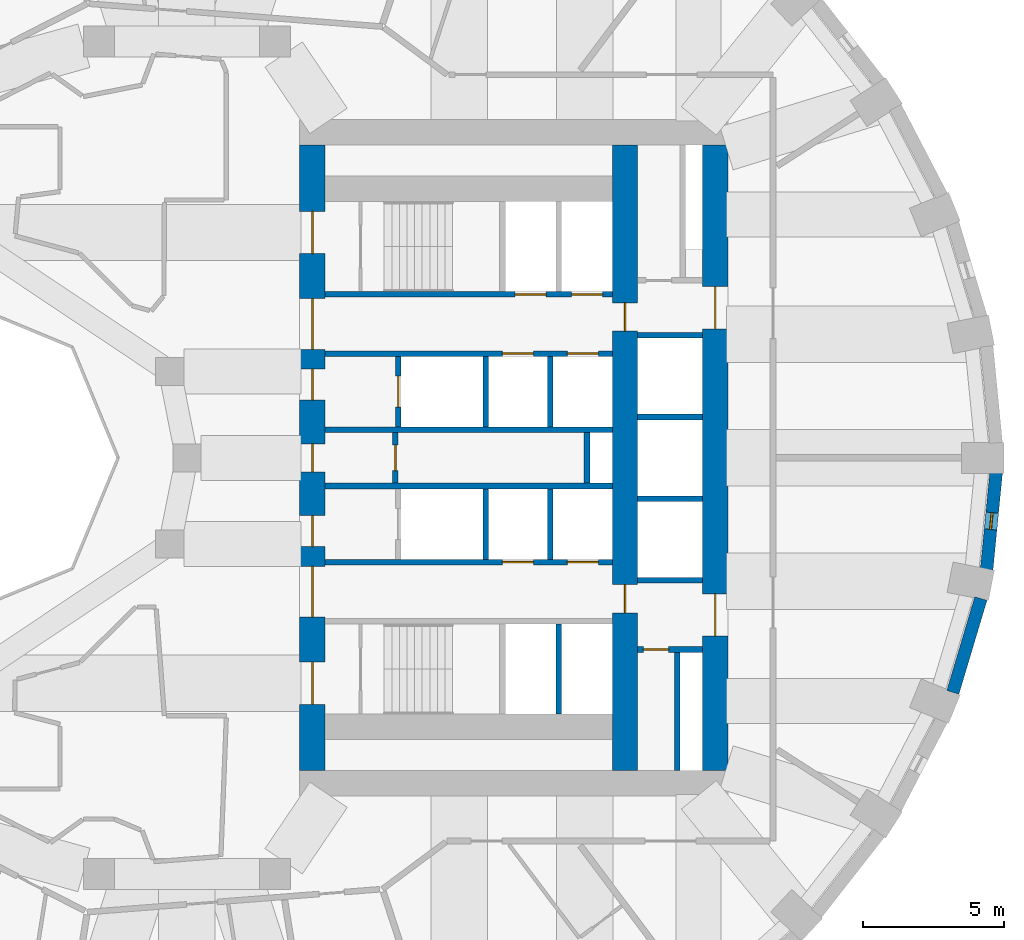
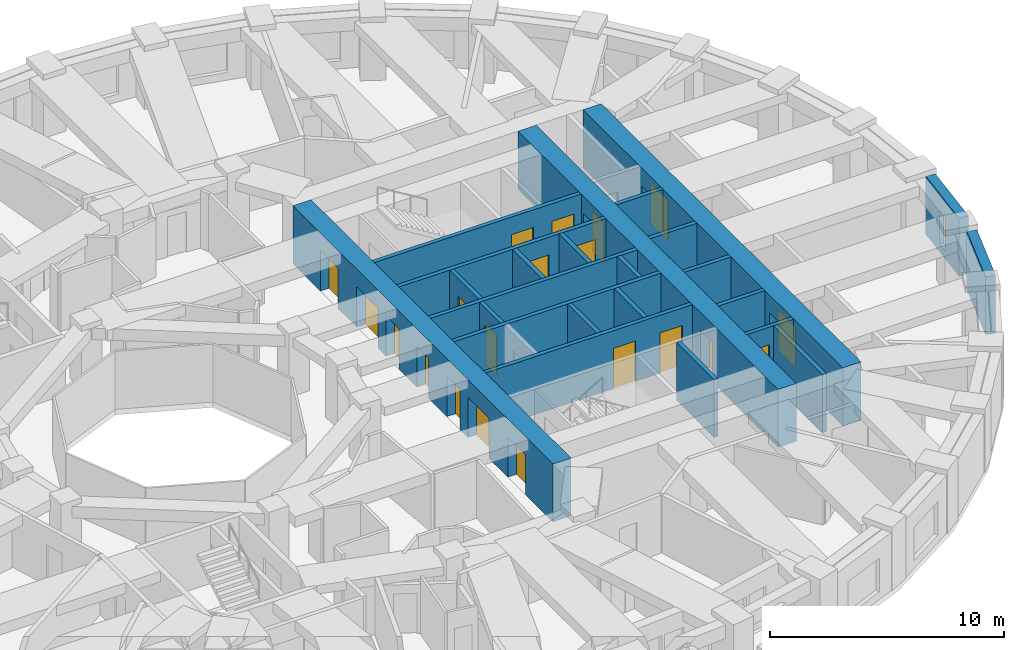
# One storey, part 6 of 13: 24 walls, 20 doors, 1 window, 21 openings.
"""IFC4 building model written with IfcOpenShell, lengths in metres."""

from ifc_helpers import new_model, si_unit, direction, frame, frame_2d, origin, place, context, subcontext, project, spatial, rectangle, extrude, material, layer, layer_set, type_object, element, fill, save


model = new_model("IFC4")

# Units and contexts
model_context = context("Model", 3, precision=1e-05, world=origin(), true_north=direction((0.0, 1.0)))
body_context = subcontext(model_context, "Body", "Model", "MODEL_VIEW")
ifc_project = project(units=[si_unit("LENGTHUNIT", "METRE"), si_unit("AREAUNIT", "SQUARE_METRE"), si_unit("VOLUMEUNIT", "CUBIC_METRE"), si_unit("PLANEANGLEUNIT", "RADIAN"), si_unit("MASSUNIT", "GRAM", prefix="KILO")], contexts=[model_context])

# Site, building, storey
site_placement = place(None, origin())
site = spatial("IfcSite", under=ifc_project, at=site_placement, CompositionType="ELEMENT")
building_placement = place(site_placement, origin())
building = spatial("IfcBuilding", under=site, at=building_placement, Name="Taillehof Tower", CompositionType="ELEMENT")
storey_placement = place(building_placement, frame((0.0, 0.0, 38.199951171875)))
storey = spatial("IfcBuildingStorey", under=building, at=storey_placement, Name="L09", CompositionType="ELEMENT", Elevation=38.199951171875)

# Wall
ifc_material_1 = material(Name="Brick masonry", Category="masonry")
ifc_layer_1 = layer(ifc_material_1, 0.449951171875)
ifc_layer_set_1 = layer_set([ifc_layer_1], Name="Brick infill wall 450")
wall_type_1 = type_object("IfcWallType", Name="Brick infill wall 450", PredefinedType="SOLIDWALL", material=ifc_layer_set_1)
wall_1_placement = place(storey_placement, frame((27.184814453125, -8.322998046875, 0.0), z_axis=(0.0, 0.0, 1.0), x_axis=(0.287064133733, 0.957911364963, 0.0)))
element("IfcWall", 1, at=wall_1_placement, inside=storey, type_object=wall_type_1, Name="Brick wall L09 bay 35", PredefinedType="SOLIDWALL", context=body_context, shape_type="SweptSolid", body=[
    extrude(rectangle(XDim=3.473388671875, YDim=0.449951171875, at=frame_2d((1.73681640625, 0.0))), origin(), (0.0, 0.0, 1.0), 3.02001953125),
])

# Wall, opening, window
wall_2_placement = place(storey_placement, frame((28.38671875, -3.95556640625, 0.0), z_axis=(0.0, 0.0, 1.0), x_axis=(0.097389581596, 0.995246336038, 0.0)))
wall_2 = element("IfcWall", 2, at=wall_2_placement, inside=storey, type_object=wall_type_1, Name="Brick wall L09 bay 36", PredefinedType="SOLIDWALL", context=body_context, shape_type="SweptSolid", body=[
    extrude(rectangle(XDim=3.44189453125, YDim=0.449951171875, at=frame_2d((1.720947265625, 0.0))), origin(), (0.0, 0.0, 1.0), 3.02001953125),
])
opening_1_placement = place(wall_2_placement, frame((1.4208984375, 0.0, 0.39990234375)))
opening_1 = element("IfcOpeningElement", 3, at=opening_1_placement, cuts=wall_2, Name="Opening W6", PredefinedType="OPENING", context=body_context, shape_type="SweptSolid", body=[
    extrude(rectangle(XDim=0.60009765625, YDim=1.75, at=frame_2d((0.300048828125, 0.875))), frame((0.0, 0.23486328125, 0.0), z_axis=(0.0, -1.0, 0.0), x_axis=(1.0, 0.0, 0.0)), (0.0, 0.0, 1.0), 0.469970703125),
])
ifc_material_2 = material(Name="Aluminium window frame with clear double glazing", Category="aluminium")
window_type = type_object("IfcWindowType", Name="Slot window 600x1750", PartitioningType="SINGLE_PANEL", PredefinedType="WINDOW", material=ifc_material_2)
window_placement = place(opening_1_placement, origin())
window = element("IfcWindow", 4, at=window_placement, inside=storey, type_object=window_type, Name="W6", OverallHeight=1.75, OverallWidth=0.60009765625, PartitioningType="SINGLE_PANEL", PredefinedType="WINDOW", context=body_context, shape_type="SweptSolid", body=[
    extrude(rectangle(XDim=0.60009765625, YDim=1.75, at=frame_2d((0.300048828125, 0.875))), frame((0.0, 0.034912109375, 0.0), z_axis=(0.0, -1.0, 0.0), x_axis=(1.0, 0.0, 0.0)), (0.0, 0.0, 1.0), 0.06005859375),
])
fill(opening_1, window)

# Wall, opening, door
ifc_material_3 = material(Name="Calcium silicate masonry", Category="masonry")
ifc_layer_2 = layer(ifc_material_3, 0.199951171875)
ifc_layer_set_2 = layer_set([ifc_layer_2], Name="Compartment wall calcium silicate 200")
wall_type_2 = type_object("IfcWallType", Name="Compartment wall calcium silicate 200", PredefinedType="PARTITIONING", material=ifc_layer_set_2)
wall_3_placement = place(storey_placement, frame((7.39990234375, -0.89990234375, 0.0), z_axis=(0.0, 0.0, 1.0), x_axis=(0.0, 1.0, 0.0)))
wall_3 = element("IfcWall", 5, at=wall_3_placement, inside=storey, type_object=wall_type_2, Name="Compartment wall FW", PredefinedType="PARTITIONING", context=body_context, shape_type="SweptSolid", body=[
    extrude(rectangle(XDim=1.7998046875, YDim=0.199951171875, at=frame_2d((0.89990234375, 0.0))), origin(), (0.0, 0.0, 1.0), 3.02001953125),
])
opening_2_placement = place(wall_3_placement, frame((0.449951171875, 0.0, 0.0)))
opening_2 = element("IfcOpeningElement", 6, at=opening_2_placement, cuts=wall_3, Name="Opening D0914", PredefinedType="OPENING", context=body_context, shape_type="SweptSolid", body=[
    extrude(rectangle(XDim=0.89990234375, YDim=2.10009765625, at=frame_2d((0.449951171875, 1.050048828125))), frame((0.0, 0.10986328125, 0.0), z_axis=(0.0, -1.0, 0.0), x_axis=(1.0, 0.0, 0.0)), (0.0, 0.0, 1.0), 0.219970703125),
])
ifc_material_4 = material(Name="Steel-faced fire door", Category="steel")
door_type_1 = type_object("IfcDoorType", Name="Riser and service room door 900x2100", OperationType="SINGLE_SWING_LEFT", PredefinedType="DOOR", material=ifc_material_4)
door_1_placement = place(opening_2_placement, origin())
door_1 = element("IfcDoor", 7, at=door_1_placement, inside=storey, type_object=door_type_1, Name="Door Staff Pantry", OperationType="SINGLE_SWING_RIGHT", OverallHeight=2.10009765625, OverallWidth=0.89990234375, PredefinedType="DOOR", context=body_context, shape_type="SweptSolid", body=[
    extrude(rectangle(XDim=0.89990234375, YDim=2.10009765625, at=frame_2d((0.449951171875, 1.050048828125))), frame((0.0, 0.02490234375, 0.0), z_axis=(0.0, -1.0, 0.0), x_axis=(1.0, 0.0, 0.0)), (0.0, 0.0, 1.0), 0.050048828125),
])
fill(opening_2, door_1)

# Wall
wall_4_placement = place(storey_placement, frame((14.199951171875, -0.89990234375, 0.0), z_axis=(0.0, 0.0, 1.0), x_axis=(0.0, 1.0, 0.0)))
element("IfcWall", 8, at=wall_4_placement, inside=storey, type_object=wall_type_2, Name="Compartment wall FW", PredefinedType="PARTITIONING", context=body_context, shape_type="SweptSolid", body=[
    extrude(rectangle(XDim=1.7998046875, YDim=0.199951171875, at=frame_2d((0.89990234375, 0.0))), origin(), (0.0, 0.0, 1.0), 3.02001953125),
])

# Wall, opening, door
wall_5_placement = place(storey_placement, frame((16.0, -6.800048828125, 0.0), z_axis=(0.0, 0.0, 1.0), x_axis=(1.0, 0.0, 0.0)))
wall_5 = element("IfcWall", 9, at=wall_5_placement, inside=storey, type_object=wall_type_2, Name="Compartment wall FW", PredefinedType="PARTITIONING", context=body_context, shape_type="SweptSolid", body=[
    extrude(rectangle(XDim=2.300048828125, YDim=0.199951171875, at=frame_2d((1.14990234375, 0.0))), origin(), (0.0, 0.0, 1.0), 3.02001953125),
])
opening_3_placement = place(wall_5_placement, frame((0.199951171875, 0.0, 0.0)))
opening_3 = element("IfcOpeningElement", 10, at=opening_3_placement, cuts=wall_5, Name="Opening D0918", PredefinedType="OPENING", context=body_context, shape_type="SweptSolid", body=[
    extrude(rectangle(XDim=0.89990234375, YDim=2.10009765625, at=frame_2d((0.449951171875, 1.050048828125))), frame((0.0, 0.10986328125, 0.0), z_axis=(0.0, -1.0, 0.0), x_axis=(1.0, 0.0, 0.0)), (0.0, 0.0, 1.0), 0.219970703125),
])
door_2_placement = place(opening_3_placement, origin())
door_2 = element("IfcDoor", 11, at=door_2_placement, inside=storey, type_object=door_type_1, Name="Door Housekeeping Store", OperationType="SINGLE_SWING_LEFT", OverallHeight=2.10009765625, OverallWidth=0.89990234375, PredefinedType="DOOR", context=body_context, shape_type="SweptSolid", body=[
    extrude(rectangle(XDim=0.89990234375, YDim=2.10009765625, at=frame_2d((0.449951171875, 1.050048828125))), frame((0.0, 0.02490234375, 0.0), z_axis=(0.0, -1.0, 0.0), x_axis=(1.0, 0.0, 0.0)), (0.0, 0.0, 1.0), 0.050048828125),
])
fill(opening_3, door_2)

# Wall
wall_6_placement = place(storey_placement, frame((17.39990234375, -11.10009765625, 0.0), z_axis=(0.0, 0.0, 1.0), x_axis=(0.0, 1.0, 0.0)))
element("IfcWall", 12, at=wall_6_placement, inside=storey, type_object=wall_type_2, Name="Compartment wall FW", PredefinedType="PARTITIONING", context=body_context, shape_type="SweptSolid", body=[
    extrude(rectangle(XDim=4.2001953125, YDim=0.199951171875, at=frame_2d((2.10009765625, 0.0))), origin(), (0.0, 0.0, 1.0), 3.02001953125),
])

# Wall, openings, doors
ifc_material_5 = material(Name="Concrete C80/95", Category="concrete")
ifc_layer_3 = layer(ifc_material_5, 0.89990234375)
ifc_layer_set_3 = layer_set([ifc_layer_3], Name="Core wall C80/95 900")
wall_type_3 = type_object("IfcWallType", Name="Core wall C80/95 900", PredefinedType="SHEAR", material=ifc_layer_set_3)
wall_7_placement = place(storey_placement, frame((4.449951171875, -11.10009765625, 0.0), z_axis=(0.0, 0.0, 1.0), x_axis=(0.0, 1.0, 0.0)))
wall_7 = element("IfcWall", 13, at=wall_7_placement, inside=storey, type_object=wall_type_3, Name="Core wall CW01", PredefinedType="SHEAR", context=body_context, shape_type="SweptSolid", body=[
    extrude(rectangle(XDim=22.2001953125, YDim=0.89990234375, at=frame_2d((11.10009765625, 0.0))), origin(), (0.0, 0.0, 1.0), 3.02001953125),
])
opening_4_placement = place(wall_7_placement, frame((2.35009765625, 0.0, 0.0)))
opening_4 = element("IfcOpeningElement", 14, at=opening_4_placement, cuts=wall_7, Name="Opening D0901", PredefinedType="OPENING", context=body_context, shape_type="SweptSolid", body=[
    extrude(rectangle(XDim=1.5, YDim=2.10009765625, at=frame_2d((0.75, 1.050048828125))), frame((0.0, 0.4599609375, 0.0), z_axis=(0.0, -1.0, 0.0), x_axis=(1.0, 0.0, 0.0)), (0.0, 0.0, 1.0), 0.919921875),
])
opening_5_placement = place(wall_7_placement, frame((5.449951171875, 0.0, 0.0)))
opening_5 = element("IfcOpeningElement", 15, at=opening_5_placement, cuts=wall_7, Name="Opening D0902", PredefinedType="OPENING", context=body_context, shape_type="SweptSolid", body=[
    extrude(rectangle(XDim=1.800048828125, YDim=2.10009765625, at=frame_2d((0.89990234375, 1.050048828125))), frame((0.0, 0.4599609375, 0.0), z_axis=(0.0, -1.0, 0.0), x_axis=(1.0, 0.0, 0.0)), (0.0, 0.0, 1.0), 0.919921875),
])
opening_6_placement = place(wall_7_placement, frame((7.949951171875, 0.0, 0.0)))
opening_6 = element("IfcOpeningElement", 16, at=opening_6_placement, cuts=wall_7, Name="Opening D0903", PredefinedType="OPENING", context=body_context, shape_type="SweptSolid", body=[
    extrude(rectangle(XDim=1.10009765625, YDim=2.10009765625, at=frame_2d((0.550048828125, 1.050048828125))), frame((0.0, 0.4599609375, 0.0), z_axis=(0.0, -1.0, 0.0), x_axis=(1.0, 0.0, 0.0)), (0.0, 0.0, 1.0), 0.919921875),
])
opening_7_placement = place(wall_7_placement, frame((10.60009765625, 0.0, 0.0)))
opening_7 = element("IfcOpeningElement", 17, at=opening_7_placement, cuts=wall_7, Name="Opening D0904", PredefinedType="OPENING", context=body_context, shape_type="SweptSolid", body=[
    extrude(rectangle(XDim=1.0, YDim=2.10009765625, at=frame_2d((0.5, 1.050048828125))), frame((0.0, 0.4599609375, 0.0), z_axis=(0.0, -1.0, 0.0), x_axis=(1.0, 0.0, 0.0)), (0.0, 0.0, 1.0), 0.919921875),
])
opening_8_placement = place(wall_7_placement, frame((13.14990234375, 0.0, 0.0)))
opening_8 = element("IfcOpeningElement", 18, at=opening_8_placement, cuts=wall_7, Name="Opening D0905", PredefinedType="OPENING", context=body_context, shape_type="SweptSolid", body=[
    extrude(rectangle(XDim=1.10009765625, YDim=2.10009765625, at=frame_2d((0.550048828125, 1.050048828125))), frame((0.0, 0.4599609375, 0.0), z_axis=(0.0, -1.0, 0.0), x_axis=(1.0, 0.0, 0.0)), (0.0, 0.0, 1.0), 0.919921875),
])
opening_9_placement = place(wall_7_placement, frame((14.949951171875, 0.0, 0.0)))
opening_9 = element("IfcOpeningElement", 19, at=opening_9_placement, cuts=wall_7, Name="Opening D0906", PredefinedType="OPENING", context=body_context, shape_type="SweptSolid", body=[
    extrude(rectangle(XDim=1.800048828125, YDim=2.10009765625, at=frame_2d((0.89990234375, 1.050048828125))), frame((0.0, 0.4599609375, 0.0), z_axis=(0.0, -1.0, 0.0), x_axis=(1.0, 0.0, 0.0)), (0.0, 0.0, 1.0), 0.919921875),
])
opening_10_placement = place(wall_7_placement, frame((18.35009765625, 0.0, 0.0)))
opening_10 = element("IfcOpeningElement", 20, at=opening_10_placement, cuts=wall_7, Name="Opening D0907", PredefinedType="OPENING", context=body_context, shape_type="SweptSolid", body=[
    extrude(rectangle(XDim=1.5, YDim=2.10009765625, at=frame_2d((0.75, 1.050048828125))), frame((0.0, 0.4599609375, 0.0), z_axis=(0.0, -1.0, 0.0), x_axis=(1.0, 0.0, 0.0)), (0.0, 0.0, 1.0), 0.919921875),
])
ifc_material_6 = material(Name="Steel-faced fire door", Category="steel")
door_type_2 = type_object("IfcDoorType", Name="Firefighting lobby door 1100x2100", OperationType="SINGLE_SWING_RIGHT", PredefinedType="DOOR", material=ifc_material_6)
door_3_placement = place(opening_6_placement, origin())
door_3 = element("IfcDoor", 21, at=door_3_placement, inside=storey, type_object=door_type_2, Name="Firefighting lobby door FFL-S", OperationType="SINGLE_SWING_RIGHT", OverallHeight=2.10009765625, OverallWidth=1.10009765625, PredefinedType="DOOR", context=body_context, shape_type="SweptSolid", body=[
    extrude(rectangle(XDim=1.10009765625, YDim=2.10009765625, at=frame_2d((0.550048828125, 1.050048828125))), frame((0.0, 0.02490234375, 0.0), z_axis=(0.0, -1.0, 0.0), x_axis=(1.0, 0.0, 0.0)), (0.0, 0.0, 1.0), 0.050048828125),
])
fill(opening_6, door_3)
door_4_placement = place(opening_8_placement, origin())
door_4 = element("IfcDoor", 22, at=door_4_placement, inside=storey, type_object=door_type_2, Name="Firefighting lobby door FFL-N", OperationType="SINGLE_SWING_LEFT", OverallHeight=2.10009765625, OverallWidth=1.10009765625, PredefinedType="DOOR", context=body_context, shape_type="SweptSolid", body=[
    extrude(rectangle(XDim=1.10009765625, YDim=2.10009765625, at=frame_2d((0.550048828125, 1.050048828125))), frame((0.0, 0.02490234375, 0.0), z_axis=(0.0, -1.0, 0.0), x_axis=(1.0, 0.0, 0.0)), (0.0, 0.0, 1.0), 0.050048828125),
])
fill(opening_8, door_4)
ifc_material_7 = material(Name="Steel-faced fire door", Category="steel")
door_type_3 = type_object("IfcDoorType", Name="Lift lobby door 1800x2100", OperationType="DOUBLE_DOOR_SINGLE_SWING", PredefinedType="DOOR", material=ifc_material_7)
door_5_placement = place(opening_5_placement, origin())
door_5 = element("IfcDoor", 23, at=door_5_placement, inside=storey, type_object=door_type_3, Name="Lift lobby door LL-S", OperationType="DOUBLE_DOOR_SINGLE_SWING", OverallHeight=2.10009765625, OverallWidth=1.800048828125, PredefinedType="DOOR", context=body_context, shape_type="SweptSolid", body=[
    extrude(rectangle(XDim=1.800048828125, YDim=2.10009765625, at=frame_2d((0.89990234375, 1.050048828125))), frame((0.0, 0.02490234375, 0.0), z_axis=(0.0, -1.0, 0.0), x_axis=(1.0, 0.0, 0.0)), (0.0, 0.0, 1.0), 0.050048828125),
])
fill(opening_5, door_5)
door_6_placement = place(opening_9_placement, origin())
door_6 = element("IfcDoor", 24, at=door_6_placement, inside=storey, type_object=door_type_3, Name="Lift lobby door LL-N", OperationType="DOUBLE_DOOR_SINGLE_SWING", OverallHeight=2.10009765625, OverallWidth=1.800048828125, PredefinedType="DOOR", context=body_context, shape_type="SweptSolid", body=[
    extrude(rectangle(XDim=1.800048828125, YDim=2.10009765625, at=frame_2d((0.89990234375, 1.050048828125))), frame((0.0, 0.02490234375, 0.0), z_axis=(0.0, -1.0, 0.0), x_axis=(1.0, 0.0, 0.0)), (0.0, 0.0, 1.0), 0.050048828125),
])
fill(opening_9, door_6)
ifc_material_8 = material(Name="Steel-faced fire door", Category="steel")
door_type_4 = type_object("IfcDoorType", Name="Service door 1000x2100", OperationType="SINGLE_SWING_RIGHT", PredefinedType="DOOR", material=ifc_material_8)
door_7_placement = place(opening_7_placement, origin())
door_7 = element("IfcDoor", 25, at=door_7_placement, inside=storey, type_object=door_type_4, Name="Service door SV", OperationType="SINGLE_SWING_RIGHT", OverallHeight=2.10009765625, OverallWidth=1.0, PredefinedType="DOOR", context=body_context, shape_type="SweptSolid", body=[
    extrude(rectangle(XDim=1.0, YDim=2.10009765625, at=frame_2d((0.5, 1.050048828125))), frame((0.0, 0.02490234375, 0.0), z_axis=(0.0, -1.0, 0.0), x_axis=(1.0, 0.0, 0.0)), (0.0, 0.0, 1.0), 0.050048828125),
])
fill(opening_7, door_7)
ifc_material_9 = material(Name="Steel-faced fire door", Category="steel")
door_type_5 = type_object("IfcDoorType", Name="Stair door 1500x2100", OperationType="DOUBLE_DOOR_SINGLE_SWING", PredefinedType="DOOR", material=ifc_material_9)
door_8_placement = place(opening_4_placement, origin())
door_8 = element("IfcDoor", 26, at=door_8_placement, inside=storey, type_object=door_type_5, Name="Stair door S2", OperationType="DOUBLE_DOOR_SINGLE_SWING", OverallHeight=2.10009765625, OverallWidth=1.5, PredefinedType="DOOR", context=body_context, shape_type="SweptSolid", body=[
    extrude(rectangle(XDim=1.5, YDim=2.10009765625, at=frame_2d((0.75, 1.050048828125))), frame((0.0, 0.02490234375, 0.0), z_axis=(0.0, -1.0, 0.0), x_axis=(1.0, 0.0, 0.0)), (0.0, 0.0, 1.0), 0.050048828125),
])
fill(opening_4, door_8)
door_9_placement = place(opening_10_placement, origin())
door_9 = element("IfcDoor", 27, at=door_9_placement, inside=storey, type_object=door_type_5, Name="Stair door S1", OperationType="DOUBLE_DOOR_SINGLE_SWING", OverallHeight=2.10009765625, OverallWidth=1.5, PredefinedType="DOOR", context=body_context, shape_type="SweptSolid", body=[
    extrude(rectangle(XDim=1.5, YDim=2.10009765625, at=frame_2d((0.75, 1.050048828125))), frame((0.0, 0.02490234375, 0.0), z_axis=(0.0, -1.0, 0.0), x_axis=(1.0, 0.0, 0.0)), (0.0, 0.0, 1.0), 0.050048828125),
])
fill(opening_10, door_9)

wall_8_placement = place(storey_placement, frame((18.75, -11.10009765625, 0.0), z_axis=(0.0, 0.0, 1.0), x_axis=(0.0, 1.0, 0.0)))
wall_8 = element("IfcWall", 28, at=wall_8_placement, inside=storey, type_object=wall_type_3, Name="Core wall CW02", PredefinedType="SHEAR", context=body_context, shape_type="SweptSolid", body=[
    extrude(rectangle(XDim=22.2001953125, YDim=0.89990234375, at=frame_2d((11.10009765625, 0.0))), origin(), (0.0, 0.0, 1.0), 3.02001953125),
])
opening_11_placement = place(wall_8_placement, frame((15.675048828125, 0.0, 0.0)))
opening_11 = element("IfcOpeningElement", 29, at=opening_11_placement, cuts=wall_8, Name="Opening D0908", PredefinedType="OPENING", context=body_context, shape_type="SweptSolid", body=[
    extrude(rectangle(XDim=1.5, YDim=2.10009765625, at=frame_2d((0.75, 1.050048828125))), frame((0.0, 0.4599609375, 0.0), z_axis=(0.0, -1.0, 0.0), x_axis=(1.0, 0.0, 0.0)), (0.0, 0.0, 1.0), 0.919921875),
])
opening_12_placement = place(wall_8_placement, frame((4.77490234375, 0.0, 0.0)))
opening_12 = element("IfcOpeningElement", 30, at=opening_12_placement, cuts=wall_8, Name="Opening D0909", PredefinedType="OPENING", context=body_context, shape_type="SweptSolid", body=[
    extrude(rectangle(XDim=1.5, YDim=2.10009765625, at=frame_2d((0.75, 1.050048828125))), frame((0.0, 0.4599609375, 0.0), z_axis=(0.0, -1.0, 0.0), x_axis=(1.0, 0.0, 0.0)), (0.0, 0.0, 1.0), 0.919921875),
])
ifc_material_10 = material(Name="Steel-faced fire door", Category="steel")
door_type_6 = type_object("IfcDoorType", Name="Lift lobby east door 1500x2100", OperationType="DOUBLE_DOOR_SINGLE_SWING", PredefinedType="DOOR", material=ifc_material_10)
door_10_placement = place(opening_11_placement, origin())
door_10 = element("IfcDoor", 31, at=door_10_placement, inside=storey, type_object=door_type_6, Name="Lift lobby east door north", OperationType="DOUBLE_DOOR_SINGLE_SWING", OverallHeight=2.10009765625, OverallWidth=1.5, PredefinedType="DOOR", context=body_context, shape_type="SweptSolid", body=[
    extrude(rectangle(XDim=1.5, YDim=2.10009765625, at=frame_2d((0.75, 1.050048828125))), frame((0.0, 0.02490234375, 0.0), z_axis=(0.0, -1.0, 0.0), x_axis=(1.0, 0.0, 0.0)), (0.0, 0.0, 1.0), 0.050048828125),
])
fill(opening_11, door_10)
door_11_placement = place(opening_12_placement, origin())
door_11 = element("IfcDoor", 32, at=door_11_placement, inside=storey, type_object=door_type_6, Name="Lift lobby east door south", OperationType="DOUBLE_DOOR_SINGLE_SWING", OverallHeight=2.10009765625, OverallWidth=1.5, PredefinedType="DOOR", context=body_context, shape_type="SweptSolid", body=[
    extrude(rectangle(XDim=1.5, YDim=2.10009765625, at=frame_2d((0.75, 1.050048828125))), frame((0.0, 0.02490234375, 0.0), z_axis=(0.0, -1.0, 0.0), x_axis=(1.0, 0.0, 0.0)), (0.0, 0.0, 1.0), 0.050048828125),
])
fill(opening_12, door_11)

wall_9_placement = place(storey_placement, frame((15.550048828125, -11.10009765625, 0.0), z_axis=(0.0, 0.0, 1.0), x_axis=(0.0, 1.0, 0.0)))
wall_9 = element("IfcWall", 33, at=wall_9_placement, inside=storey, type_object=wall_type_3, Name="Core wall CW05", PredefinedType="SHEAR", context=body_context, shape_type="SweptSolid", body=[
    extrude(rectangle(XDim=22.2001953125, YDim=0.89990234375, at=frame_2d((11.10009765625, 0.0))), origin(), (0.0, 0.0, 1.0), 3.02001953125),
])
opening_13_placement = place(wall_9_placement, frame((15.60009765625, 0.0, 0.0)))
opening_13 = element("IfcOpeningElement", 34, at=opening_13_placement, cuts=wall_9, Name="Opening D0915", PredefinedType="OPENING", context=body_context, shape_type="SweptSolid", body=[
    extrude(rectangle(XDim=1.0, YDim=2.10009765625, at=frame_2d((0.5, 1.050048828125))), frame((0.0, 0.4599609375, 0.0), z_axis=(0.0, -1.0, 0.0), x_axis=(1.0, 0.0, 0.0)), (0.0, 0.0, 1.0), 0.919921875),
])
opening_14_placement = place(wall_9_placement, frame((5.60009765625, 0.0, 0.0)))
opening_14 = element("IfcOpeningElement", 35, at=opening_14_placement, cuts=wall_9, Name="Opening D0917", PredefinedType="OPENING", context=body_context, shape_type="SweptSolid", body=[
    extrude(rectangle(XDim=1.0, YDim=2.10009765625, at=frame_2d((0.5, 1.050048828125))), frame((0.0, 0.4599609375, 0.0), z_axis=(0.0, -1.0, 0.0), x_axis=(1.0, 0.0, 0.0)), (0.0, 0.0, 1.0), 0.919921875),
])
door_12_placement = place(opening_13_placement, origin())
door_12 = element("IfcDoor", 36, at=door_12_placement, inside=storey, type_object=door_type_4, Name="Service door strip", OperationType="SINGLE_SWING_RIGHT", OverallHeight=2.10009765625, OverallWidth=1.0, PredefinedType="DOOR", context=body_context, shape_type="SweptSolid", body=[
    extrude(rectangle(XDim=1.0, YDim=2.10009765625, at=frame_2d((0.5, 1.050048828125))), frame((0.0, 0.02490234375, 0.0), z_axis=(0.0, -1.0, 0.0), x_axis=(1.0, 0.0, 0.0)), (0.0, 0.0, 1.0), 0.050048828125),
])
fill(opening_13, door_12)
door_13_placement = place(opening_14_placement, origin())
door_13 = element("IfcDoor", 37, at=door_13_placement, inside=storey, type_object=door_type_4, Name="Service door strip", OperationType="SINGLE_SWING_LEFT", OverallHeight=2.10009765625, OverallWidth=1.0, PredefinedType="DOOR", context=body_context, shape_type="SweptSolid", body=[
    extrude(rectangle(XDim=1.0, YDim=2.10009765625, at=frame_2d((0.5, 1.050048828125))), frame((0.0, 0.02490234375, 0.0), z_axis=(0.0, -1.0, 0.0), x_axis=(1.0, 0.0, 0.0)), (0.0, 0.0, 1.0), 0.050048828125),
])
fill(opening_14, door_13)

ifc_material_11 = material(Name="Concrete C50/60", Category="concrete")
ifc_layer_4 = layer(ifc_material_11, 0.199951171875)
ifc_layer_set_4 = layer_set([ifc_layer_4], Name="Shaft wall C50/60 200")
wall_type_4 = type_object("IfcWallType", Name="Shaft wall C50/60 200", PredefinedType="SHEAR", material=ifc_layer_set_4)
wall_10_placement = place(storey_placement, frame((4.89990234375, 5.800048828125, 0.0), z_axis=(0.0, 0.0, 1.0), x_axis=(1.0, 0.0, 0.0)))
wall_10 = element("IfcWall", 38, at=wall_10_placement, inside=storey, type_object=wall_type_4, Name="Shaft wall SW", PredefinedType="SHEAR", context=body_context, shape_type="SweptSolid", body=[
    extrude(rectangle(XDim=10.2001953125, YDim=0.199951171875, at=frame_2d((5.10009765625, 0.0))), origin(), (0.0, 0.0, 1.0), 3.02001953125),
])
opening_15_placement = place(wall_10_placement, frame((6.75, 0.0, 0.0)))
opening_15 = element("IfcOpeningElement", 39, at=opening_15_placement, cuts=wall_10, Name="Opening LD1", PredefinedType="OPENING", context=body_context, shape_type="SweptSolid", body=[
    extrude(rectangle(XDim=1.10009765625, YDim=2.10009765625, at=frame_2d((0.550048828125, 1.050048828125))), frame((0.0, 0.10986328125, 0.0), z_axis=(0.0, -1.0, 0.0), x_axis=(1.0, 0.0, 0.0)), (0.0, 0.0, 1.0), 0.219970703125),
])
opening_16_placement = place(wall_10_placement, frame((8.75, 0.0, 0.0)))
opening_16 = element("IfcOpeningElement", 40, at=opening_16_placement, cuts=wall_10, Name="Opening LD1", PredefinedType="OPENING", context=body_context, shape_type="SweptSolid", body=[
    extrude(rectangle(XDim=1.10009765625, YDim=2.10009765625, at=frame_2d((0.550048828125, 1.050048828125))), frame((0.0, 0.10986328125, 0.0), z_axis=(0.0, -1.0, 0.0), x_axis=(1.0, 0.0, 0.0)), (0.0, 0.0, 1.0), 0.219970703125),
])
ifc_material_12 = material(Name="Stainless steel", Category="steel")
door_type_7 = type_object("IfcDoorType", Name="Lift landing door LD1 1100x2100", OperationType="DOUBLE_DOOR_SLIDING", PredefinedType="DOOR", material=ifc_material_12)
door_14_placement = place(opening_15_placement, origin())
door_14 = element("IfcDoor", 41, at=door_14_placement, inside=storey, type_object=door_type_7, Name="Landing door LR1", OperationType="DOUBLE_DOOR_SLIDING", OverallHeight=2.10009765625, OverallWidth=1.10009765625, PredefinedType="DOOR", context=body_context, shape_type="SweptSolid", body=[
    extrude(rectangle(XDim=1.10009765625, YDim=2.10009765625, at=frame_2d((0.550048828125, 1.050048828125))), frame((0.0, 0.02490234375, 0.0), z_axis=(0.0, -1.0, 0.0), x_axis=(1.0, 0.0, 0.0)), (0.0, 0.0, 1.0), 0.050048828125),
])
fill(opening_15, door_14)
door_15_placement = place(opening_16_placement, origin())
door_15 = element("IfcDoor", 42, at=door_15_placement, inside=storey, type_object=door_type_7, Name="Landing door LR2", OperationType="DOUBLE_DOOR_SLIDING", OverallHeight=2.10009765625, OverallWidth=1.10009765625, PredefinedType="DOOR", context=body_context, shape_type="SweptSolid", body=[
    extrude(rectangle(XDim=1.10009765625, YDim=2.10009765625, at=frame_2d((0.550048828125, 1.050048828125))), frame((0.0, 0.02490234375, 0.0), z_axis=(0.0, -1.0, 0.0), x_axis=(1.0, 0.0, 0.0)), (0.0, 0.0, 1.0), 0.050048828125),
])
fill(opening_16, door_15)

wall_11_placement = place(storey_placement, frame((4.89990234375, 3.699951171875, 0.0), z_axis=(0.0, 0.0, 1.0), x_axis=(1.0, 0.0, 0.0)))
wall_11 = element("IfcWall", 43, at=wall_11_placement, inside=storey, type_object=wall_type_4, Name="Shaft wall SW", PredefinedType="SHEAR", context=body_context, shape_type="SweptSolid", body=[
    extrude(rectangle(XDim=10.2001953125, YDim=0.199951171875, at=frame_2d((5.10009765625, 0.0))), origin(), (0.0, 0.0, 1.0), 3.02001953125),
])
opening_17_placement = place(wall_11_placement, frame((6.300048828125, 0.0, 0.0)))
opening_17 = element("IfcOpeningElement", 44, at=opening_17_placement, cuts=wall_11, Name="Opening LD1", PredefinedType="OPENING", context=body_context, shape_type="SweptSolid", body=[
    extrude(rectangle(XDim=1.10009765625, YDim=2.10009765625, at=frame_2d((0.550048828125, 1.050048828125))), frame((0.0, 0.10986328125, 0.0), z_axis=(0.0, -1.0, 0.0), x_axis=(1.0, 0.0, 0.0)), (0.0, 0.0, 1.0), 0.219970703125),
])
opening_18_placement = place(wall_11_placement, frame((8.60009765625, 0.0, 0.0)))
opening_18 = element("IfcOpeningElement", 45, at=opening_18_placement, cuts=wall_11, Name="Opening LD1", PredefinedType="OPENING", context=body_context, shape_type="SweptSolid", body=[
    extrude(rectangle(XDim=1.10009765625, YDim=2.10009765625, at=frame_2d((0.550048828125, 1.050048828125))), frame((0.0, 0.10986328125, 0.0), z_axis=(0.0, -1.0, 0.0), x_axis=(1.0, 0.0, 0.0)), (0.0, 0.0, 1.0), 0.219970703125),
])
door_16_placement = place(opening_17_placement, origin())
door_16 = element("IfcDoor", 46, at=door_16_placement, inside=storey, type_object=door_type_7, Name="Landing door LR3", OperationType="DOUBLE_DOOR_SLIDING", OverallHeight=2.10009765625, OverallWidth=1.10009765625, PredefinedType="DOOR", context=body_context, shape_type="SweptSolid", body=[
    extrude(rectangle(XDim=1.10009765625, YDim=2.10009765625, at=frame_2d((0.550048828125, 1.050048828125))), frame((0.0, 0.02490234375, 0.0), z_axis=(0.0, -1.0, 0.0), x_axis=(1.0, 0.0, 0.0)), (0.0, 0.0, 1.0), 0.050048828125),
])
fill(opening_17, door_16)
door_17_placement = place(opening_18_placement, origin())
door_17 = element("IfcDoor", 47, at=door_17_placement, inside=storey, type_object=door_type_7, Name="Landing door LR4", OperationType="DOUBLE_DOOR_SLIDING", OverallHeight=2.10009765625, OverallWidth=1.10009765625, PredefinedType="DOOR", context=body_context, shape_type="SweptSolid", body=[
    extrude(rectangle(XDim=1.10009765625, YDim=2.10009765625, at=frame_2d((0.550048828125, 1.050048828125))), frame((0.0, 0.02490234375, 0.0), z_axis=(0.0, -1.0, 0.0), x_axis=(1.0, 0.0, 0.0)), (0.0, 0.0, 1.0), 0.050048828125),
])
fill(opening_18, door_17)

# Walls
for number, where, z_axis, x_axis, name in (
    (48, (4.89990234375, 1.0, 0.0), (0.0, 0.0, 1.0), (1.0, 0.0, 0.0), "Shaft wall SW"),
    (49, (4.89990234375, -1.0, 0.0), (0.0, 0.0, 1.0), (1.0, 0.0, 0.0), "Shaft wall SW"),
):
    element("IfcWall", number, at=place(storey_placement, frame(where, z_axis=z_axis, x_axis=x_axis)), inside=storey, type_object=wall_type_4, Name=name, PredefinedType="SHEAR", context=body_context, shape_type="SweptSolid", body=[
        extrude(rectangle(XDim=10.2001953125, YDim=0.199951171875, at=frame_2d((5.10009765625, 0.0))), origin(), (0.0, 0.0, 1.0), 3.02001953125),
    ])

# Wall, openings, doors
wall_12_placement = place(storey_placement, frame((4.89990234375, -3.699951171875, 0.0), z_axis=(0.0, 0.0, 1.0), x_axis=(1.0, 0.0, 0.0)))
wall_12 = element("IfcWall", 50, at=wall_12_placement, inside=storey, type_object=wall_type_4, Name="Shaft wall SW", PredefinedType="SHEAR", context=body_context, shape_type="SweptSolid", body=[
    extrude(rectangle(XDim=10.2001953125, YDim=0.199951171875, at=frame_2d((5.10009765625, 0.0))), origin(), (0.0, 0.0, 1.0), 3.02001953125),
])
opening_19_placement = place(wall_12_placement, frame((6.300048828125, 0.0, 0.0)))
opening_19 = element("IfcOpeningElement", 51, at=opening_19_placement, cuts=wall_12, Name="Opening LD1", PredefinedType="OPENING", context=body_context, shape_type="SweptSolid", body=[
    extrude(rectangle(XDim=1.10009765625, YDim=2.10009765625, at=frame_2d((0.550048828125, 1.050048828125))), frame((0.0, 0.10986328125, 0.0), z_axis=(0.0, -1.0, 0.0), x_axis=(1.0, 0.0, 0.0)), (0.0, 0.0, 1.0), 0.219970703125),
])
opening_20_placement = place(wall_12_placement, frame((8.60009765625, 0.0, 0.0)))
opening_20 = element("IfcOpeningElement", 52, at=opening_20_placement, cuts=wall_12, Name="Opening LD1", PredefinedType="OPENING", context=body_context, shape_type="SweptSolid", body=[
    extrude(rectangle(XDim=1.10009765625, YDim=2.10009765625, at=frame_2d((0.550048828125, 1.050048828125))), frame((0.0, 0.10986328125, 0.0), z_axis=(0.0, -1.0, 0.0), x_axis=(1.0, 0.0, 0.0)), (0.0, 0.0, 1.0), 0.219970703125),
])
door_18_placement = place(opening_19_placement, origin())
door_18 = element("IfcDoor", 53, at=door_18_placement, inside=storey, type_object=door_type_7, Name="Landing door LR5", OperationType="DOUBLE_DOOR_SLIDING", OverallHeight=2.10009765625, OverallWidth=1.10009765625, PredefinedType="DOOR", context=body_context, shape_type="SweptSolid", body=[
    extrude(rectangle(XDim=1.10009765625, YDim=2.10009765625, at=frame_2d((0.550048828125, 1.050048828125))), frame((0.0, 0.02490234375, 0.0), z_axis=(0.0, -1.0, 0.0), x_axis=(1.0, 0.0, 0.0)), (0.0, 0.0, 1.0), 0.050048828125),
])
fill(opening_19, door_18)
door_19_placement = place(opening_20_placement, origin())
door_19 = element("IfcDoor", 54, at=door_19_placement, inside=storey, type_object=door_type_7, Name="Landing door LR6", OperationType="DOUBLE_DOOR_SLIDING", OverallHeight=2.10009765625, OverallWidth=1.10009765625, PredefinedType="DOOR", context=body_context, shape_type="SweptSolid", body=[
    extrude(rectangle(XDim=1.10009765625, YDim=2.10009765625, at=frame_2d((0.550048828125, 1.050048828125))), frame((0.0, 0.02490234375, 0.0), z_axis=(0.0, -1.0, 0.0), x_axis=(1.0, 0.0, 0.0)), (0.0, 0.0, 1.0), 0.050048828125),
])
fill(opening_20, door_19)

# Wall
wall_13_placement = place(storey_placement, frame((13.199951171875, -9.10009765625, 0.0), z_axis=(0.0, 0.0, 1.0), x_axis=(0.0, 1.0, 0.0)))
element("IfcWall", 55, at=wall_13_placement, inside=storey, type_object=wall_type_4, Name="Shaft wall SW", PredefinedType="SHEAR", context=body_context, shape_type="SweptSolid", body=[
    extrude(rectangle(XDim=3.2001953125, YDim=0.199951171875, at=frame_2d((1.60009765625, 0.0))), origin(), (0.0, 0.0, 1.0), 3.02001953125),
])

# Wall, opening, door
wall_14_placement = place(storey_placement, frame((7.5, 1.10009765625, 0.0), z_axis=(0.0, 0.0, 1.0), x_axis=(0.0, 1.0, 0.0)))
wall_14 = element("IfcWall", 56, at=wall_14_placement, inside=storey, type_object=wall_type_4, Name="Shaft wall SW", PredefinedType="SHEAR", context=body_context, shape_type="SweptSolid", body=[
    extrude(rectangle(XDim=2.5, YDim=0.199951171875, at=frame_2d((1.25, 0.0))), origin(), (0.0, 0.0, 1.0), 3.02001953125),
])
opening_21_placement = place(wall_14_placement, frame((0.699951171875, 0.0, 0.0)))
opening_21 = element("IfcOpeningElement", 57, at=opening_21_placement, cuts=wall_14, Name="Opening LD1", PredefinedType="OPENING", context=body_context, shape_type="SweptSolid", body=[
    extrude(rectangle(XDim=1.10009765625, YDim=2.10009765625, at=frame_2d((0.550048828125, 1.050048828125))), frame((0.0, 0.10986328125, 0.0), z_axis=(0.0, -1.0, 0.0), x_axis=(1.0, 0.0, 0.0)), (0.0, 0.0, 1.0), 0.219970703125),
])
door_20_placement = place(opening_21_placement, origin())
door_20 = element("IfcDoor", 58, at=door_20_placement, inside=storey, type_object=door_type_7, Name="Landing door FF1", OperationType="DOUBLE_DOOR_SLIDING", OverallHeight=2.10009765625, OverallWidth=1.10009765625, PredefinedType="DOOR", context=body_context, shape_type="SweptSolid", body=[
    extrude(rectangle(XDim=1.10009765625, YDim=2.10009765625, at=frame_2d((0.550048828125, 1.050048828125))), frame((0.0, 0.02490234375, 0.0), z_axis=(0.0, -1.0, 0.0), x_axis=(1.0, 0.0, 0.0)), (0.0, 0.0, 1.0), 0.050048828125),
])
fill(opening_21, door_20)

# Walls
for number, where, z_axis, x_axis, name in (
    (59, (10.60009765625, 1.10009765625, 0.0), (0.0, 0.0, 1.0), (0.0, 1.0, 0.0), "Shaft wall SW"),
    (60, (10.60009765625, -3.60009765625, 0.0), (0.0, 0.0, 1.0), (0.0, 1.0, 0.0), "Shaft wall SW"),
    (61, (12.89990234375, 1.10009765625, 0.0), (0.0, 0.0, 1.0), (0.0, 1.0, 0.0), "Shaft wall SW"),
    (62, (12.89990234375, -3.60009765625, 0.0), (0.0, 0.0, 1.0), (0.0, 1.0, 0.0), "Shaft wall SW"),
):
    element("IfcWall", number, at=place(storey_placement, frame(where, z_axis=z_axis, x_axis=x_axis)), inside=storey, type_object=wall_type_4, Name=name, PredefinedType="SHEAR", context=body_context, shape_type="SweptSolid", body=[
        extrude(rectangle(XDim=2.5, YDim=0.199951171875, at=frame_2d((1.25, 0.0))), origin(), (0.0, 0.0, 1.0), 3.02001953125),
    ])
for number, where, z_axis, x_axis, name in (
    (63, (16.0, -4.35009765625, 0.0), (0.0, 0.0, 1.0), (1.0, 0.0, 0.0), "Shaft wall SW"),
    (64, (16.0, -1.449951171875, 0.0), (0.0, 0.0, 1.0), (1.0, 0.0, 0.0), "Shaft wall SW"),
    (65, (16.0, 1.449951171875, 0.0), (0.0, 0.0, 1.0), (1.0, 0.0, 0.0), "Shaft wall SW"),
    (66, (16.0, 4.35009765625, 0.0), (0.0, 0.0, 1.0), (1.0, 0.0, 0.0), "Shaft wall SW"),
):
    element("IfcWall", number, at=place(storey_placement, frame(where, z_axis=z_axis, x_axis=x_axis)), inside=storey, type_object=wall_type_4, Name=name, PredefinedType="SHEAR", context=body_context, shape_type="SweptSolid", body=[
        extrude(rectangle(XDim=2.300048828125, YDim=0.199951171875, at=frame_2d((1.14990234375, 0.0))), origin(), (0.0, 0.0, 1.0), 3.02001953125),
    ])

save(model, "model.ifc")
